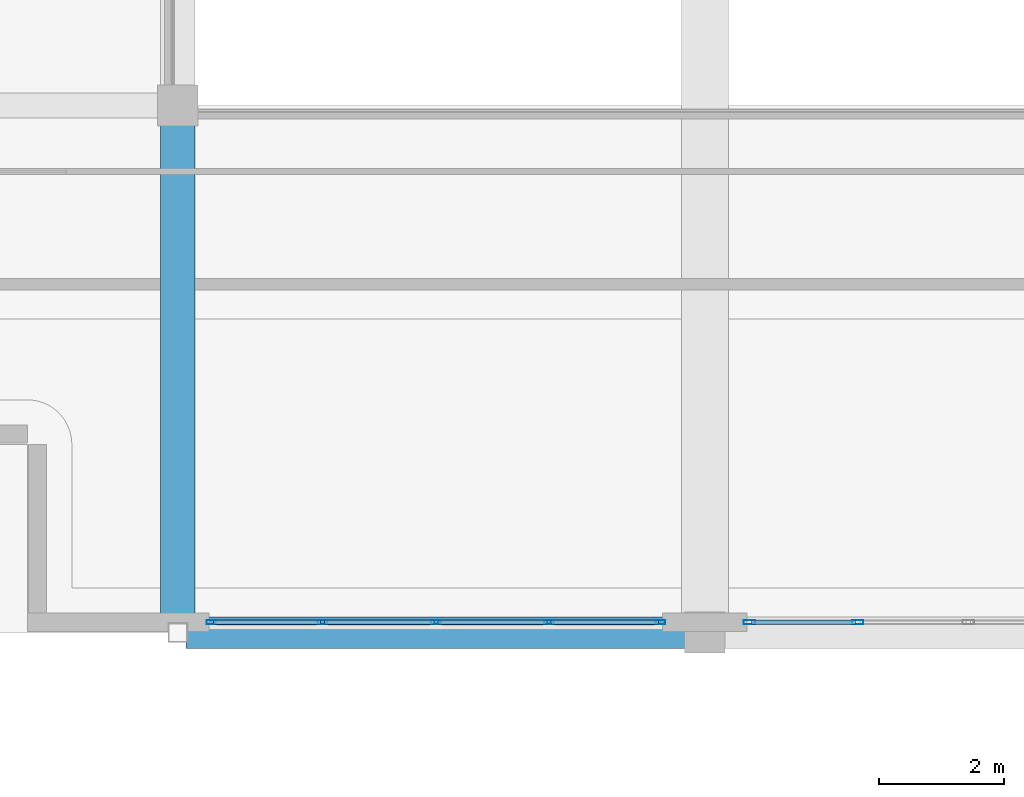
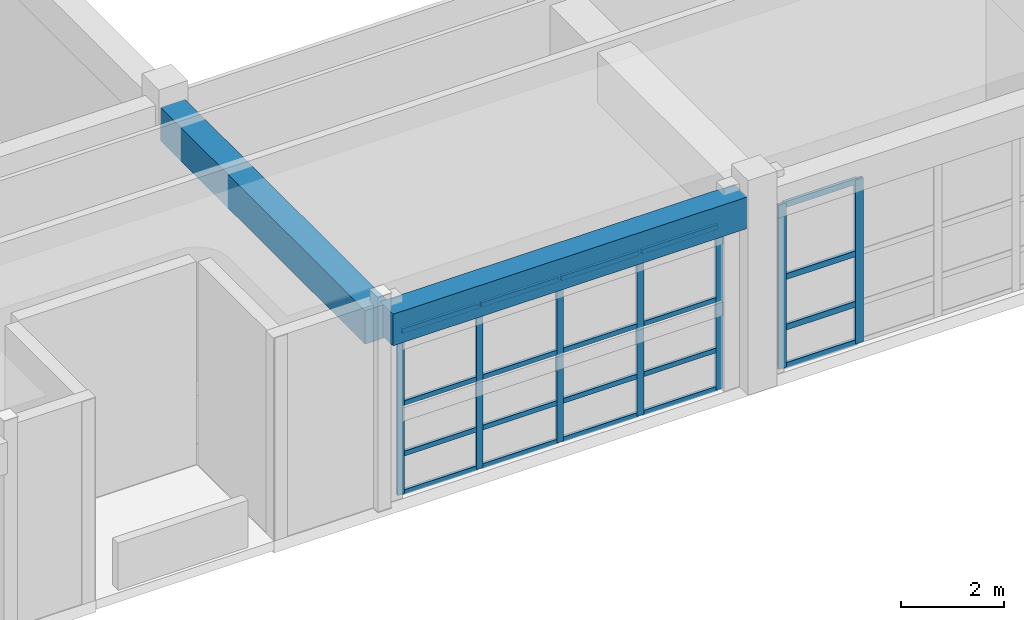
# One storey, part 31 of 78: 27 members, 2 beams, 2 elements without a shape of their own.
"""IFC4 building model written with IfcOpenShell, lengths in metres."""

from ifc_helpers import new_model, si_unit, direction, frame, origin, origin_2d, place, context, subcontext, project, spatial, rectangle, hollow_rectangle, extrude, material, layer, layer_set, material_profile, profile_set, type_object, element, aggregate, save


model = new_model("IFC4")

# Units and contexts
model_context = context("Model", 3, precision=1e-05, world=origin(), true_north=direction((0.0, 1.0)))
body_context = subcontext(model_context, "Body", "Model", "MODEL_VIEW")
ifc_project = project(units=[si_unit("LENGTHUNIT", "METRE"), si_unit("AREAUNIT", "SQUARE_METRE"), si_unit("VOLUMEUNIT", "CUBIC_METRE"), si_unit("PLANEANGLEUNIT", "RADIAN"), si_unit("MASSUNIT", "GRAM", prefix="KILO")], contexts=[model_context])

# Site, building, storey
site_placement = place(None, origin())
site = spatial("IfcSite", under=ifc_project, at=site_placement, CompositionType="ELEMENT")
building_placement = place(site_placement, origin())
building = spatial("IfcBuilding", under=site, at=building_placement, Name="Quendrovan Civic Courthouse", CompositionType="ELEMENT")
storey_placement = place(building_placement, frame((0.0, 0.0, 10.199951171875)))
storey = spatial("IfcBuildingStorey", under=building, at=storey_placement, Name="L03", CompositionType="ELEMENT", Elevation=10.199951171875)

# Beams
ifc_material_1 = material(Name="Concrete C40/50", Category="concrete")
ifc_material_profile_1 = material_profile(ifc_material_1, rectangle(XDim=0.5, YDim=0.75, at=origin_2d()), Name="RC-BM-500x750")
ifc_profile_set_1 = profile_set([ifc_material_profile_1], Name="Concrete C40/50")
beam_type_1 = type_object("IfcBeamType", Name="BM-RC750", PredefinedType="SPANDREL", material=ifc_profile_set_1)
beam_1_placement = place(storey_placement, frame((50.530029296875, 64.800048828125, 4.28515625), z_axis=(1.0, 0.0, 0.0), x_axis=(0.0, 1.0, 0.0)))
element("IfcBeam", 1, at=beam_1_placement, inside=storey, type_object=beam_type_1, Name="L03 Girder X0747", PredefinedType="SPANDREL", context=body_context, shape_type="SweptSolid", body=[
    extrude(rectangle(XDim=0.5, YDim=0.75, at=origin_2d()), origin(), (0.0, 0.0, 1.0), 7.965087890625),
])
ifc_material_profile_2 = material_profile(ifc_material_1, rectangle(XDim=0.550048828125, YDim=0.800048828125, at=origin_2d()), Name="RC-BM-550x800")
ifc_profile_set_2 = profile_set([ifc_material_profile_2], Name="Concrete C40/50")
beam_type_2 = type_object("IfcBeamType", Name="BM-RC800", PredefinedType="BEAM", material=ifc_profile_set_2)
beam_2_placement = place(storey_placement, frame((50.39990234375, 64.929931640625, 4.260009765625), z_axis=(0.0, 1.0, 0.0), x_axis=(-1.0, 0.0, 0.0)))
element("IfcBeam", 2, at=beam_2_placement, inside=storey, type_object=beam_type_2, Name="L03 Girder Y0835", PredefinedType="BEAM", context=body_context, shape_type="SweptSolid", body=[
    extrude(rectangle(XDim=0.550048828125, YDim=0.800048828125, at=origin_2d()), origin(), (0.0, 0.0, 1.0), 7.965087890625),
])

# Curtain wall, members
ifc_material_2 = material(Name="Bronze anodised aluminium and low-E glass", Category="aluminium")
ifc_layer_1 = layer(ifc_material_2, 0.179931640625, Name="Bronze anodised aluminium and low-E glass")
ifc_layer_set_1 = layer_set([ifc_layer_1], Name="Bronze anodised aluminium and low-E glass")
curtain_wall_type_1 = type_object("IfcCurtainWallType", Name="CW-U70x39", PredefinedType="USERDEFINED", material=ifc_layer_set_1)
curtain_wall_1_placement = place(storey_placement, origin())
curtain_wall_1 = element("IfcCurtainWall", 3, at=curtain_wall_1_placement, inside=storey, type_object=curtain_wall_type_1, Name="L03 Unitised Hurricane Curtain Wall CW-134", ObjectType="UNITISED CURTAIN WALL", PredefinedType="USERDEFINED")
ifc_material_3 = material(Name="Bronze anodised aluminium", Category="aluminium")
ifc_material_profile_3 = material_profile(ifc_material_3, hollow_rectangle(XDim=0.070068359375, YDim=0.179931640625, WallThickness=0.00390625, at=origin_2d()), Name="CW-MULL-70x180")
ifc_profile_set_3 = profile_set([ifc_material_profile_3], Name="Bronze anodised aluminium")
member_type_1 = type_object("IfcMemberType", Name="CW-MULL-A", PredefinedType="MULLION", material=ifc_profile_set_3)
member_1_placement = place(storey_placement, frame((61.237548828125, 64.965087890625, 0.0), z_axis=(0.0, 0.0, 1.0), x_axis=(0.0, -1.0, 0.0)))
member_1 = element("IfcMember", 4, at=member_1_placement, type_object=member_type_1, Name="CW-134 mullion 4", PredefinedType="MULLION", context=body_context, shape_type="SweptSolid", body=[
    extrude(hollow_rectangle(XDim=0.070068359375, YDim=0.179931640625, WallThickness=0.00390625, at=origin_2d()), origin(), (0.0, 0.0, 1.0), 3.900146484375),
])
member_2_placement = place(storey_placement, frame((59.510009765625, 64.965087890625, 0.0), z_axis=(0.0, 0.0, 1.0), x_axis=(0.0, -1.0, 0.0)))
member_2 = element("IfcMember", 5, at=member_2_placement, type_object=member_type_1, Name="CW-134 mullion 5", PredefinedType="MULLION", context=body_context, shape_type="SweptSolid", body=[
    extrude(hollow_rectangle(XDim=0.070068359375, YDim=0.179931640625, WallThickness=0.00390625, at=origin_2d()), origin(), (0.0, 0.0, 1.0), 3.900146484375),
])

ifc_layer_2 = layer(ifc_material_2, 0.179931640625, Name="Bronze anodised aluminium and low-E glass")
ifc_layer_set_2 = layer_set([ifc_layer_2], Name="Bronze anodised aluminium and low-E glass")
curtain_wall_type_2 = type_object("IfcCurtainWallType", Name="CW-U72x39", PredefinedType="USERDEFINED", material=ifc_layer_set_2)
curtain_wall_2_placement = place(storey_placement, origin())
curtain_wall_2 = element("IfcCurtainWall", 6, at=curtain_wall_2_placement, inside=storey, type_object=curtain_wall_type_2, Name="L03 Unitised Hurricane Curtain Wall CW-135", ObjectType="UNITISED CURTAIN WALL", PredefinedType="USERDEFINED")
ifc_material_profile_4 = material_profile(ifc_material_3, hollow_rectangle(XDim=0.06494140625, YDim=0.14990234375, WallThickness=0.00390625, at=origin_2d()), Name="CW-MULL-65x150")
ifc_profile_set_4 = profile_set([ifc_material_profile_4], Name="Bronze anodised aluminium")
member_type_2 = type_object("IfcMemberType", Name="CW-MULL-B", PredefinedType="MULLION", material=ifc_profile_set_4)
member_3_placement = place(storey_placement, frame((58.092529296875, 64.965087890625, 0.0), z_axis=(0.0, 0.0, 1.0), x_axis=(0.0, -1.0, 0.0)))
member_3 = element("IfcMember", 7, at=member_3_placement, type_object=member_type_2, Name="CW-135 mullion 1", PredefinedType="MULLION", context=body_context, shape_type="SweptSolid", body=[
    extrude(hollow_rectangle(XDim=0.06494140625, YDim=0.14990234375, WallThickness=0.00390625, at=origin_2d()), origin(), (0.0, 0.0, 1.0), 3.900146484375),
])
member_4_placement = place(storey_placement, frame((56.31884765625, 64.965087890625, 0.0), z_axis=(0.0, 0.0, 1.0), x_axis=(0.0, -1.0, 0.0)))
member_4 = element("IfcMember", 8, at=member_4_placement, type_object=member_type_2, Name="CW-135 mullion 2", PredefinedType="MULLION", context=body_context, shape_type="SweptSolid", body=[
    extrude(hollow_rectangle(XDim=0.06494140625, YDim=0.14990234375, WallThickness=0.00390625, at=origin_2d()), origin(), (0.0, 0.0, 1.0), 3.900146484375),
])
member_5_placement = place(storey_placement, frame((54.512451171875, 64.965087890625, 0.0), z_axis=(0.0, 0.0, 1.0), x_axis=(0.0, -1.0, 0.0)))
member_5 = element("IfcMember", 9, at=member_5_placement, type_object=member_type_2, Name="CW-135 mullion 3", PredefinedType="MULLION", context=body_context, shape_type="SweptSolid", body=[
    extrude(hollow_rectangle(XDim=0.06494140625, YDim=0.14990234375, WallThickness=0.00390625, at=origin_2d()), origin(), (0.0, 0.0, 1.0), 3.900146484375),
])
member_6_placement = place(storey_placement, frame((52.706298828125, 64.965087890625, 0.0), z_axis=(0.0, 0.0, 1.0), x_axis=(0.0, -1.0, 0.0)))
member_6 = element("IfcMember", 10, at=member_6_placement, type_object=member_type_2, Name="CW-135 mullion 4", PredefinedType="MULLION", context=body_context, shape_type="SweptSolid", body=[
    extrude(hollow_rectangle(XDim=0.06494140625, YDim=0.14990234375, WallThickness=0.00390625, at=origin_2d()), origin(), (0.0, 0.0, 1.0), 3.900146484375),
])
member_7_placement = place(storey_placement, frame((50.9326171875, 64.965087890625, 0.0), z_axis=(0.0, 0.0, 1.0), x_axis=(0.0, -1.0, 0.0)))
member_7 = element("IfcMember", 11, at=member_7_placement, type_object=member_type_2, Name="CW-135 mullion 5", PredefinedType="MULLION", context=body_context, shape_type="SweptSolid", body=[
    extrude(hollow_rectangle(XDim=0.06494140625, YDim=0.14990234375, WallThickness=0.00390625, at=origin_2d()), origin(), (0.0, 0.0, 1.0), 3.900146484375),
])

# Member
ifc_material_profile_5 = material_profile(ifc_material_3, hollow_rectangle(XDim=0.070068359375, YDim=0.139892578125, WallThickness=0.00390625, at=origin_2d()), Name="CW-TRAN-70x140")
ifc_profile_set_5 = profile_set([ifc_material_profile_5], Name="Bronze anodised aluminium")
member_type_3 = type_object("IfcMemberType", Name="CW-TRAN-A", PredefinedType="USERDEFINED", material=ifc_profile_set_5)
member_8_placement = place(storey_placement, frame((61.202392578125, 64.965087890625, 0.03515625), z_axis=(-1.0, 0.0, 0.0), x_axis=(0.0, -1.0, 0.0)))
member_8 = element("IfcMember", 12, at=member_8_placement, type_object=member_type_3, Name="CW-134 transom 4.1", ObjectType="TRANSOM", PredefinedType="USERDEFINED", context=body_context, shape_type="SweptSolid", body=[
    extrude(hollow_rectangle(XDim=0.070068359375, YDim=0.139892578125, WallThickness=0.00390625, at=origin_2d()), origin(), (0.0, 0.0, 1.0), 1.657470703125),
])

member_9_placement = place(storey_placement, frame((61.202392578125, 64.965087890625, 0.949951171875), z_axis=(-1.0, 0.0, 0.0), x_axis=(0.0, -1.0, 0.0)))
member_9 = element("IfcMember", 13, at=member_9_placement, type_object=member_type_3, Name="CW-134 transom 4.2", ObjectType="TRANSOM", PredefinedType="USERDEFINED", context=body_context, shape_type="SweptSolid", body=[
    extrude(hollow_rectangle(XDim=0.070068359375, YDim=0.139892578125, WallThickness=0.00390625, at=origin_2d()), origin(), (0.0, 0.0, 1.0), 1.657470703125),
])

member_10_placement = place(storey_placement, frame((61.202392578125, 64.965087890625, 2.150146484375), z_axis=(-1.0, 0.0, 0.0), x_axis=(0.0, -1.0, 0.0)))
member_10 = element("IfcMember", 14, at=member_10_placement, type_object=member_type_3, Name="CW-134 transom 4.3", ObjectType="TRANSOM", PredefinedType="USERDEFINED", context=body_context, shape_type="SweptSolid", body=[
    extrude(hollow_rectangle(XDim=0.070068359375, YDim=0.139892578125, WallThickness=0.00390625, at=origin_2d()), origin(), (0.0, 0.0, 1.0), 1.657470703125),
])

member_11_placement = place(storey_placement, frame((61.202392578125, 64.965087890625, 3.864990234375), z_axis=(-1.0, 0.0, 0.0), x_axis=(0.0, -1.0, 0.0)))
member_11 = element("IfcMember", 15, at=member_11_placement, type_object=member_type_3, Name="CW-134 transom 4.4", ObjectType="TRANSOM", PredefinedType="USERDEFINED", context=body_context, shape_type="SweptSolid", body=[
    extrude(hollow_rectangle(XDim=0.070068359375, YDim=0.139892578125, WallThickness=0.00390625, at=origin_2d()), origin(), (0.0, 0.0, 1.0), 1.657470703125),
])

aggregate(curtain_wall_1, [member_1, member_2, member_8, member_9, member_10, member_11])

ifc_material_profile_6 = material_profile(ifc_material_3, hollow_rectangle(XDim=0.06494140625, YDim=0.114990234375, WallThickness=0.00390625, at=origin_2d()), Name="CW-TRAN-65x115")
ifc_profile_set_6 = profile_set([ifc_material_profile_6], Name="Bronze anodised aluminium")
member_type_4 = type_object("IfcMemberType", Name="CW-TRAN-B", PredefinedType="USERDEFINED", material=ifc_profile_set_6)
member_12_placement = place(storey_placement, frame((58.06005859375, 64.965087890625, 0.032470703125), z_axis=(-1.0, 0.0, 0.0), x_axis=(0.0, -1.0, 0.0)))
member_12 = element("IfcMember", 16, at=member_12_placement, type_object=member_type_4, Name="CW-135 transom 1.1", ObjectType="TRANSOM", PredefinedType="USERDEFINED", context=body_context, shape_type="SweptSolid", body=[
    extrude(hollow_rectangle(XDim=0.06494140625, YDim=0.114990234375, WallThickness=0.00390625, at=origin_2d()), origin(), (0.0, 0.0, 1.0), 1.708740234375),
])

member_13_placement = place(storey_placement, frame((58.06005859375, 64.965087890625, 0.949951171875), z_axis=(-1.0, 0.0, 0.0), x_axis=(0.0, -1.0, 0.0)))
member_13 = element("IfcMember", 17, at=member_13_placement, type_object=member_type_4, Name="CW-135 transom 1.2", ObjectType="TRANSOM", PredefinedType="USERDEFINED", context=body_context, shape_type="SweptSolid", body=[
    extrude(hollow_rectangle(XDim=0.06494140625, YDim=0.114990234375, WallThickness=0.00390625, at=origin_2d()), origin(), (0.0, 0.0, 1.0), 1.708740234375),
])

member_14_placement = place(storey_placement, frame((58.06005859375, 64.965087890625, 2.150146484375), z_axis=(-1.0, 0.0, 0.0), x_axis=(0.0, -1.0, 0.0)))
member_14 = element("IfcMember", 18, at=member_14_placement, type_object=member_type_4, Name="CW-135 transom 1.3", ObjectType="TRANSOM", PredefinedType="USERDEFINED", context=body_context, shape_type="SweptSolid", body=[
    extrude(hollow_rectangle(XDim=0.06494140625, YDim=0.114990234375, WallThickness=0.00390625, at=origin_2d()), origin(), (0.0, 0.0, 1.0), 1.708740234375),
])

member_15_placement = place(storey_placement, frame((58.06005859375, 64.965087890625, 3.867431640625), z_axis=(-1.0, 0.0, 0.0), x_axis=(0.0, -1.0, 0.0)))
member_15 = element("IfcMember", 19, at=member_15_placement, type_object=member_type_4, Name="CW-135 transom 1.4", ObjectType="TRANSOM", PredefinedType="USERDEFINED", context=body_context, shape_type="SweptSolid", body=[
    extrude(hollow_rectangle(XDim=0.06494140625, YDim=0.114990234375, WallThickness=0.00390625, at=origin_2d()), origin(), (0.0, 0.0, 1.0), 1.708740234375),
])

member_16_placement = place(storey_placement, frame((56.2861328125, 64.965087890625, 0.032470703125), z_axis=(-1.0, 0.0, 0.0), x_axis=(0.0, -1.0, 0.0)))
member_16 = element("IfcMember", 20, at=member_16_placement, type_object=member_type_4, Name="CW-135 transom 2.1", ObjectType="TRANSOM", PredefinedType="USERDEFINED", context=body_context, shape_type="SweptSolid", body=[
    extrude(hollow_rectangle(XDim=0.06494140625, YDim=0.114990234375, WallThickness=0.00390625, at=origin_2d()), origin(), (0.0, 0.0, 1.0), 1.7412109375),
])

member_17_placement = place(storey_placement, frame((56.2861328125, 64.965087890625, 0.949951171875), z_axis=(-1.0, 0.0, 0.0), x_axis=(0.0, -1.0, 0.0)))
member_17 = element("IfcMember", 21, at=member_17_placement, type_object=member_type_4, Name="CW-135 transom 2.2", ObjectType="TRANSOM", PredefinedType="USERDEFINED", context=body_context, shape_type="SweptSolid", body=[
    extrude(hollow_rectangle(XDim=0.06494140625, YDim=0.114990234375, WallThickness=0.00390625, at=origin_2d()), origin(), (0.0, 0.0, 1.0), 1.7412109375),
])

member_18_placement = place(storey_placement, frame((56.2861328125, 64.965087890625, 2.150146484375), z_axis=(-1.0, 0.0, 0.0), x_axis=(0.0, -1.0, 0.0)))
member_18 = element("IfcMember", 22, at=member_18_placement, type_object=member_type_4, Name="CW-135 transom 2.3", ObjectType="TRANSOM", PredefinedType="USERDEFINED", context=body_context, shape_type="SweptSolid", body=[
    extrude(hollow_rectangle(XDim=0.06494140625, YDim=0.114990234375, WallThickness=0.00390625, at=origin_2d()), origin(), (0.0, 0.0, 1.0), 1.7412109375),
])

member_19_placement = place(storey_placement, frame((56.2861328125, 64.965087890625, 3.867431640625), z_axis=(-1.0, 0.0, 0.0), x_axis=(0.0, -1.0, 0.0)))
member_19 = element("IfcMember", 23, at=member_19_placement, type_object=member_type_4, Name="CW-135 transom 2.4", ObjectType="TRANSOM", PredefinedType="USERDEFINED", context=body_context, shape_type="SweptSolid", body=[
    extrude(hollow_rectangle(XDim=0.06494140625, YDim=0.114990234375, WallThickness=0.00390625, at=origin_2d()), origin(), (0.0, 0.0, 1.0), 1.7412109375),
])

member_20_placement = place(storey_placement, frame((54.47998046875, 64.965087890625, 0.032470703125), z_axis=(-1.0, 0.0, 0.0), x_axis=(0.0, -1.0, 0.0)))
member_20 = element("IfcMember", 24, at=member_20_placement, type_object=member_type_4, Name="CW-135 transom 3.1", ObjectType="TRANSOM", PredefinedType="USERDEFINED", context=body_context, shape_type="SweptSolid", body=[
    extrude(hollow_rectangle(XDim=0.06494140625, YDim=0.114990234375, WallThickness=0.00390625, at=origin_2d()), origin(), (0.0, 0.0, 1.0), 1.7412109375),
])

member_21_placement = place(storey_placement, frame((54.47998046875, 64.965087890625, 0.949951171875), z_axis=(-1.0, 0.0, 0.0), x_axis=(0.0, -1.0, 0.0)))
member_21 = element("IfcMember", 25, at=member_21_placement, type_object=member_type_4, Name="CW-135 transom 3.2", ObjectType="TRANSOM", PredefinedType="USERDEFINED", context=body_context, shape_type="SweptSolid", body=[
    extrude(hollow_rectangle(XDim=0.06494140625, YDim=0.114990234375, WallThickness=0.00390625, at=origin_2d()), origin(), (0.0, 0.0, 1.0), 1.7412109375),
])

member_22_placement = place(storey_placement, frame((54.47998046875, 64.965087890625, 2.150146484375), z_axis=(-1.0, 0.0, 0.0), x_axis=(0.0, -1.0, 0.0)))
member_22 = element("IfcMember", 26, at=member_22_placement, type_object=member_type_4, Name="CW-135 transom 3.3", ObjectType="TRANSOM", PredefinedType="USERDEFINED", context=body_context, shape_type="SweptSolid", body=[
    extrude(hollow_rectangle(XDim=0.06494140625, YDim=0.114990234375, WallThickness=0.00390625, at=origin_2d()), origin(), (0.0, 0.0, 1.0), 1.7412109375),
])

member_23_placement = place(storey_placement, frame((54.47998046875, 64.965087890625, 3.867431640625), z_axis=(-1.0, 0.0, 0.0), x_axis=(0.0, -1.0, 0.0)))
member_23 = element("IfcMember", 27, at=member_23_placement, type_object=member_type_4, Name="CW-135 transom 3.4", ObjectType="TRANSOM", PredefinedType="USERDEFINED", context=body_context, shape_type="SweptSolid", body=[
    extrude(hollow_rectangle(XDim=0.06494140625, YDim=0.114990234375, WallThickness=0.00390625, at=origin_2d()), origin(), (0.0, 0.0, 1.0), 1.7412109375),
])

member_24_placement = place(storey_placement, frame((52.673828125, 64.965087890625, 0.032470703125), z_axis=(-1.0, 0.0, 0.0), x_axis=(0.0, -1.0, 0.0)))
member_24 = element("IfcMember", 28, at=member_24_placement, type_object=member_type_4, Name="CW-135 transom 4.1", ObjectType="TRANSOM", PredefinedType="USERDEFINED", context=body_context, shape_type="SweptSolid", body=[
    extrude(hollow_rectangle(XDim=0.06494140625, YDim=0.114990234375, WallThickness=0.00390625, at=origin_2d()), origin(), (0.0, 0.0, 1.0), 1.708740234375),
])

member_25_placement = place(storey_placement, frame((52.673828125, 64.965087890625, 0.949951171875), z_axis=(-1.0, 0.0, 0.0), x_axis=(0.0, -1.0, 0.0)))
member_25 = element("IfcMember", 29, at=member_25_placement, type_object=member_type_4, Name="CW-135 transom 4.2", ObjectType="TRANSOM", PredefinedType="USERDEFINED", context=body_context, shape_type="SweptSolid", body=[
    extrude(hollow_rectangle(XDim=0.06494140625, YDim=0.114990234375, WallThickness=0.00390625, at=origin_2d()), origin(), (0.0, 0.0, 1.0), 1.708740234375),
])

member_26_placement = place(storey_placement, frame((52.673828125, 64.965087890625, 2.150146484375), z_axis=(-1.0, 0.0, 0.0), x_axis=(0.0, -1.0, 0.0)))
member_26 = element("IfcMember", 30, at=member_26_placement, type_object=member_type_4, Name="CW-135 transom 4.3", ObjectType="TRANSOM", PredefinedType="USERDEFINED", context=body_context, shape_type="SweptSolid", body=[
    extrude(hollow_rectangle(XDim=0.06494140625, YDim=0.114990234375, WallThickness=0.00390625, at=origin_2d()), origin(), (0.0, 0.0, 1.0), 1.708740234375),
])

member_27_placement = place(storey_placement, frame((52.673828125, 64.965087890625, 3.867431640625), z_axis=(-1.0, 0.0, 0.0), x_axis=(0.0, -1.0, 0.0)))
member_27 = element("IfcMember", 31, at=member_27_placement, type_object=member_type_4, Name="CW-135 transom 4.4", ObjectType="TRANSOM", PredefinedType="USERDEFINED", context=body_context, shape_type="SweptSolid", body=[
    extrude(hollow_rectangle(XDim=0.06494140625, YDim=0.114990234375, WallThickness=0.00390625, at=origin_2d()), origin(), (0.0, 0.0, 1.0), 1.708740234375),
])

aggregate(curtain_wall_2, [member_3, member_4, member_5, member_6, member_7, member_12, member_13, member_14, member_15, member_16, member_17, member_18, member_19, member_20, member_21, member_22, member_23, member_24, member_25, member_26, member_27])

save(model, "model.ifc")
